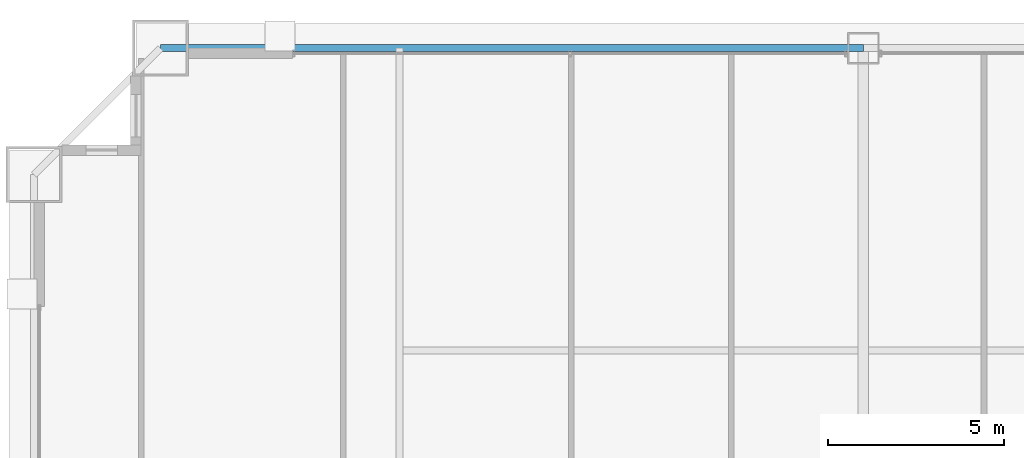
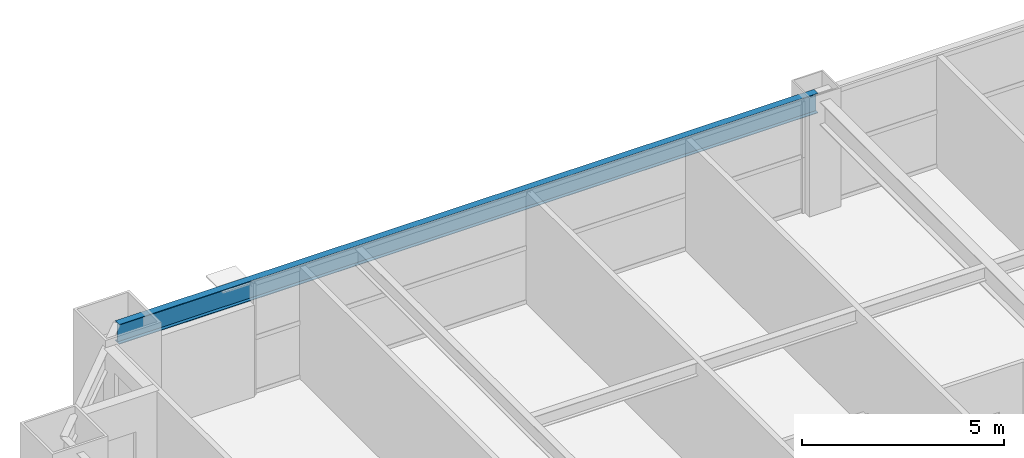
# One storey, part 23 of 38: 1 beam.
"""IFC4 building model written with IfcOpenShell, lengths in metres."""

from ifc_helpers import new_model, si_unit, direction, frame, origin, origin_2d, place, context, subcontext, project, spatial, i_section, extrude, source, transform, mapped, material, material_profile, profile_set, type_object, element, save


model = new_model("IFC4")

# Units and contexts
model_context = context("Model", 3, precision=1e-05, world=origin(), true_north=direction((0.0, 1.0)))
body_context = subcontext(model_context, "Body", "Model", "MODEL_VIEW")
ifc_project = project(units=[si_unit("LENGTHUNIT", "METRE"), si_unit("AREAUNIT", "SQUARE_METRE"), si_unit("VOLUMEUNIT", "CUBIC_METRE"), si_unit("PLANEANGLEUNIT", "RADIAN"), si_unit("MASSUNIT", "GRAM", prefix="KILO"), si_unit("THERMODYNAMICTEMPERATUREUNIT", "KELVIN"), si_unit("POWERUNIT", "WATT")], contexts=[model_context])

# Site, building, storey
site_placement = place(None, origin())
site = spatial("IfcSite", under=ifc_project, at=site_placement, CompositionType="ELEMENT")
building_placement = place(site_placement, origin())
building = spatial("IfcBuilding", under=site, at=building_placement, Name="Yuzanri Waterfront Tower", CompositionType="ELEMENT")
storey_placement = place(building_placement, frame((0.0, 0.0, 97.39990234375)))
storey = spatial("IfcBuildingStorey", under=building, at=storey_placement, Name="L25", CompositionType="ELEMENT", Elevation=97.39990234375)

# Beam
ifc_material = material(Name="Steel Q355B", Category="steel")
ifc_material_profile = material_profile(ifc_material, i_section(OverallWidth=0.199951171875, OverallDepth=0.60009765625, WebThickness=0.010986328125, FlangeThickness=0.01708984375, at=origin_2d()), Name="HN 600x200x11x17")
ifc_profile_set = profile_set([ifc_material_profile], Name="Steel Q355B")
beam_type = type_object("IfcBeamType", Name="Perimeter Spandrel Q355B HN 600x200", PredefinedType="SPANDREL", material=ifc_profile_set)
shared_shape = source(origin(), body_context, "Body", "SweptSolid", [
    extrude(i_section(OverallWidth=0.199951171875, OverallDepth=0.60009765625, WebThickness=0.010986328125, FlangeThickness=0.01708984375, at=origin_2d()), origin(), (0.0, 0.0, 1.0), 20.0),
])
beam_placement = place(storey_placement, frame((37.0, 49.39990234375, 3.080078125), z_axis=(-1.0, 0.0, 0.0), x_axis=(0.0, -1.0, 0.0)))
element("IfcBeam", 1, at=beam_placement, inside=storey, type_object=beam_type, Name="L25 Perimeter Spandrel N2-N1", PredefinedType="SPANDREL", context=body_context, shape_type="MappedRepresentation", body=[
    mapped(shared_shape, transform((0.0, 0.0, 0.0), scale=1.0)),
])

save(model, "model.ifc")
